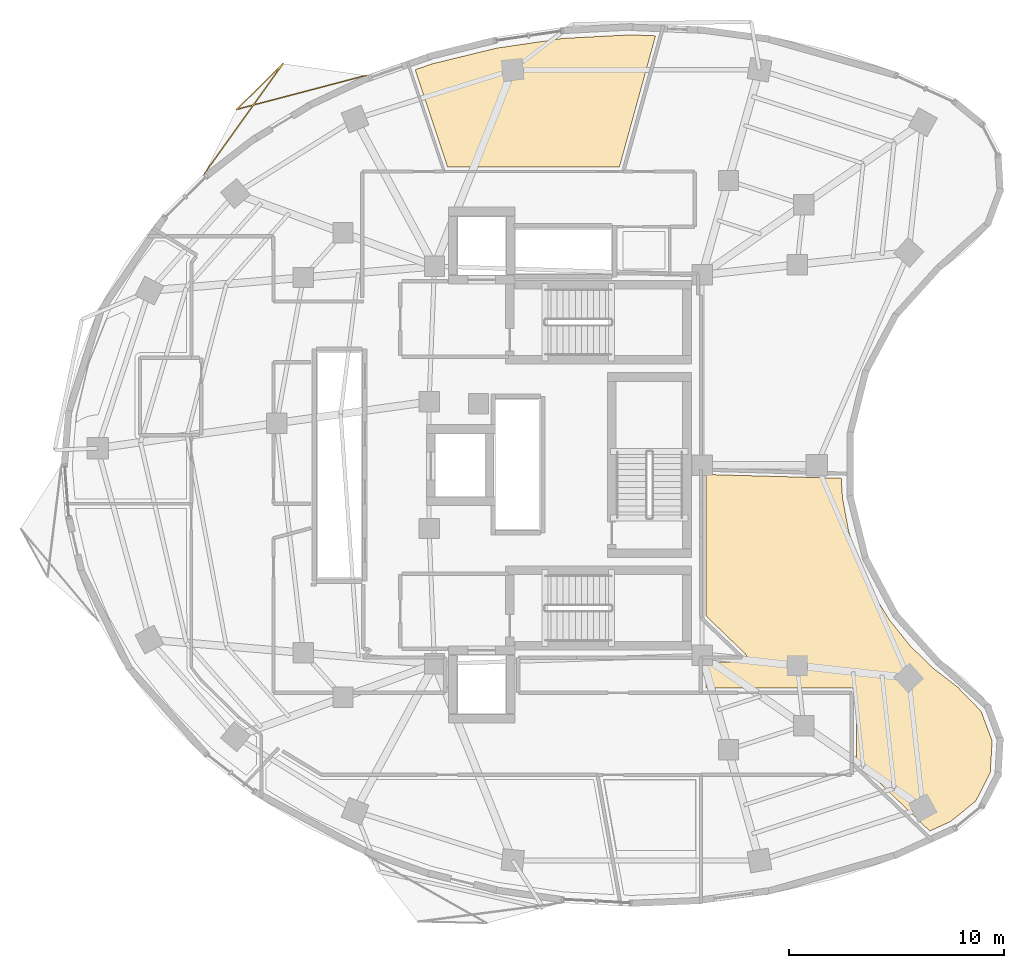
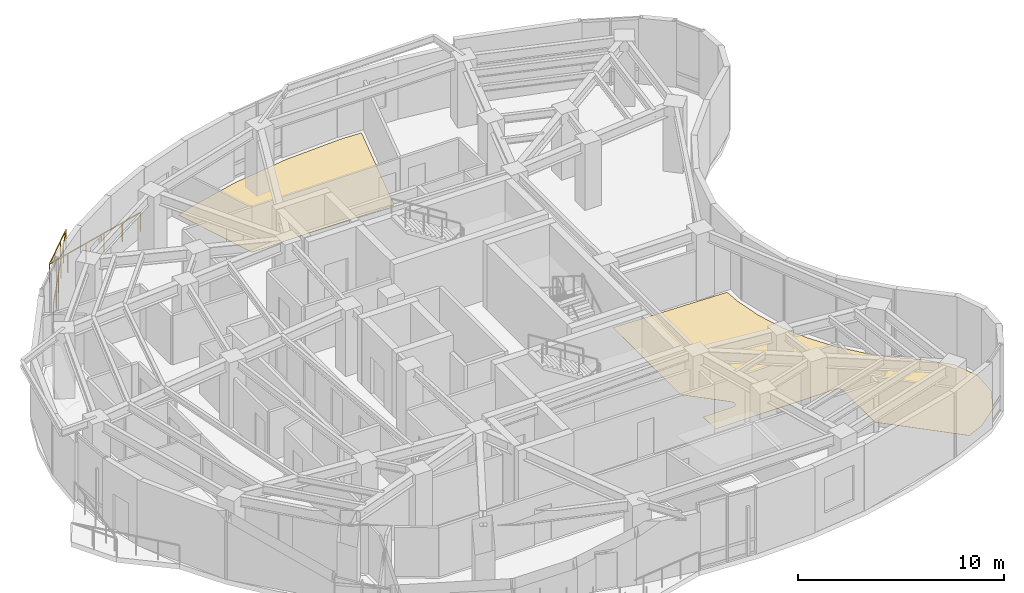
# One storey, part 13 of 13: 2 coverings, 1 railing.
"""IFC4 building model written with IfcOpenShell, lengths in metres."""

from ifc_helpers import new_model, si_unit, direction, frame, origin, origin_2d, place, context, subcontext, project, spatial, polyline, rectangle, outline, extrude, material, layer, layer_set, type_object, element, save


model = new_model("IFC4")

# Units and contexts
model_context = context("Model", 3, precision=1e-05, world=origin(), true_north=direction((0.0, 1.0)))
body_context = subcontext(model_context, "Body", "Model", "MODEL_VIEW")
ifc_project = project(units=[si_unit("LENGTHUNIT", "METRE"), si_unit("AREAUNIT", "SQUARE_METRE"), si_unit("VOLUMEUNIT", "CUBIC_METRE"), si_unit("PLANEANGLEUNIT", "RADIAN"), si_unit("MASSUNIT", "GRAM", prefix="KILO")], contexts=[model_context])

# Site, building, storey
site_placement = place(None, origin())
site = spatial("IfcSite", under=ifc_project, at=site_placement, CompositionType="ELEMENT")
building_placement = place(site_placement, origin())
building = spatial("IfcBuilding", under=site, at=building_placement, Name="Korentha Bioscience Tower", CompositionType="ELEMENT")
storey_placement = place(building_placement, frame((0.0, 0.0, 158.39990234375)))
storey = spatial("IfcBuildingStorey", under=building, at=storey_placement, Name="L36", CompositionType="ELEMENT", Elevation=158.39990234375)

# Railing
ifc_material_1 = material(Name="Laminated Tempered Safety Glass", Category="glass")
railing_type = type_object("IfcRailingType", Name="Laminated Glass Balcony Guardrail 1150", PredefinedType="BALUSTRADE", material=ifc_material_1)
railing_placement = place(storey_placement, frame((21.907470703125, 45.128662109375, 0.0)))
element("IfcRailing", 1, at=railing_placement, inside=storey, type_object=railing_type, Name="L36 Balcony Guardrail 01", PredefinedType="BALUSTRADE", context=body_context, shape_type="SweptSolid", body=[
    extrude(rectangle(XDim=0.048095703125, YDim=0.048095703125, at=origin_2d()), frame((0.0, 0.0, 1.1259765625), z_axis=(-0.967203698671, -0.254001978882, 0.0), x_axis=(0.254001978882, -0.967203698671, 0.0)), (0.0, 0.0, 1.0), 6.213134765625),
    extrude(rectangle(XDim=0.048095703125, YDim=0.048095703125, at=origin_2d()), frame((-6.00927734375, -1.578125, 1.1259765625), z_axis=(0.711366586149, 0.702821157984, 0.0), x_axis=(-0.702821157984, 0.711366586149, 0.0)), (0.0, 0.0, 1.0), 3.0283203125),
    extrude(rectangle(XDim=0.048095703125, YDim=0.048095703125, at=origin_2d()), frame((-3.85498046875, 0.55029296875, 1.1259765625), z_axis=(-0.581843464557, -0.813300794757, 0.0), x_axis=(0.813300794757, -0.581843464557, 0.0)), (0.0, 0.0, 1.0), 6.2939453125),
    extrude(rectangle(XDim=0.0419921875, YDim=0.0419921875, at=origin_2d()), origin(), (0.0, 0.0, 1.0), 1.101806640625),
    extrude(rectangle(XDim=0.0419921875, YDim=0.0419921875, at=origin_2d()), frame((-1.201904296875, -0.315673828125, 0.0)), (0.0, 0.0, 1.0), 1.101806640625),
    extrude(rectangle(XDim=0.0419921875, YDim=0.0419921875, at=origin_2d()), frame((-2.40380859375, -0.63134765625, 0.0)), (0.0, 0.0, 1.0), 1.101806640625),
    extrude(rectangle(XDim=0.0419921875, YDim=0.0419921875, at=origin_2d()), frame((-3.60546875, -0.94677734375, 0.0)), (0.0, 0.0, 1.0), 1.101806640625),
    extrude(rectangle(XDim=0.0419921875, YDim=0.0419921875, at=origin_2d()), frame((-4.807373046875, -1.262451171875, 0.0)), (0.0, 0.0, 1.0), 1.101806640625),
    extrude(rectangle(XDim=0.0419921875, YDim=0.0419921875, at=origin_2d()), frame((-6.00927734375, -1.578125, 0.0)), (0.0, 0.0, 1.0), 1.101806640625),
    extrude(rectangle(XDim=0.0419921875, YDim=0.0419921875, at=origin_2d()), frame((-5.291259765625, -0.86865234375, 0.0)), (0.0, 0.0, 1.0), 1.101806640625),
    extrude(rectangle(XDim=0.0419921875, YDim=0.0419921875, at=origin_2d()), frame((-4.572998046875, -0.1591796875, 0.0)), (0.0, 0.0, 1.0), 1.101806640625),
    extrude(rectangle(XDim=0.0419921875, YDim=0.0419921875, at=origin_2d()), frame((-3.85498046875, 0.55029296875, 0.0)), (0.0, 0.0, 1.0), 1.101806640625),
    extrude(rectangle(XDim=0.0419921875, YDim=0.0419921875, at=origin_2d()), frame((-4.58740234375, -0.473388671875, 0.0)), (0.0, 0.0, 1.0), 1.101806640625),
    extrude(rectangle(XDim=0.0419921875, YDim=0.0419921875, at=origin_2d()), frame((-5.31982421875, -1.497314453125, 0.0)), (0.0, 0.0, 1.0), 1.101806640625),
    extrude(rectangle(XDim=0.0419921875, YDim=0.0419921875, at=origin_2d()), frame((-6.05224609375, -2.52099609375, 0.0)), (0.0, 0.0, 1.0), 1.101806640625),
    extrude(rectangle(XDim=0.0419921875, YDim=0.0419921875, at=origin_2d()), frame((-6.78466796875, -3.544921875, 0.0)), (0.0, 0.0, 1.0), 1.101806640625),
    extrude(rectangle(XDim=0.0419921875, YDim=0.0419921875, at=origin_2d()), frame((-7.51708984375, -4.568603515625, 0.0)), (0.0, 0.0, 1.0), 1.101806640625),
])

# Coverings
ifc_material_2 = material(Name="Chemical-Resistant Epoxy Resin", Category="polymer")
ifc_layer = layer(ifc_material_2, 0.011962890625, Name="Chemical-Resistant Epoxy Resin")
ifc_layer_set = layer_set([ifc_layer], Name="Chemical-Resistant Epoxy Resin (FL-EPX)")
covering_type = type_object("IfcCoveringType", Name="Seamless Epoxy Laboratory Flooring 12", PredefinedType="FLOORING", material=ifc_layer_set)
covering_1_placement = place(storey_placement, origin())
element("IfcCovering", 2, at=covering_1_placement, inside=storey, type_object=covering_type, Name="L36 Incubator and Bioreactor Suite 07 Floor Finish", PredefinedType="FLOORING", context=body_context, shape_type="SweptSolid", body=[
    extrude(outline(polyline([(44.025146484375, 26.389404296875), (44.085205078125, 25.45361328125), (44.36669921875, 23.94970703125), (44.8271484375, 22.497802734375), (45.46630859375, 21.1015625), (46.26318359375, 19.8056640625), (47.21630859375, 18.61083984375), (48.28173828125, 17.564208984375), (49.4521484375, 16.662841796875), (50.52978515625, 15.55224609375), (51.04541015625, 14.16748046875), (50.96044921875, 12.6923828125), (50.289306640625, 11.376220703125), (49.114013671875, 10.415283203125), (48.141845703125, 9.97412109375), (44.73681640625, 13.250732421875), (44.729736328125, 16.410888671875), (44.697509765625, 16.517822265625), (44.61865234375, 16.596923828125), (44.5, 16.6298828125), (37.72802734375, 16.6298828125), (37.72802734375, 17.827880859375), (39.44873046875, 17.830322265625), (39.512451171875, 17.849853515625), (39.582763671875, 17.902587890625), (39.62744140625, 17.978515625), (39.6396484375, 18.0439453125), (39.62548828125, 18.130859375), (39.578857421875, 18.205810546875), (37.72216796875, 19.992919921875), (37.72216796875, 26.565673828125), (44.025146484375, 26.389404296875)])), origin(), (0.0, 0.0, 1.0), 0.01220703125),
])
covering_2_placement = place(storey_placement, origin())
element("IfcCovering", 3, at=covering_2_placement, inside=storey, type_object=covering_type, Name="L36 Biostatistics Research Office 09 Floor Finish", PredefinedType="FLOORING", context=body_context, shape_type="SweptSolid", body=[
    extrude(outline(polyline([(31.088623046875, 46.85595703125), (34.243896484375, 47.02099609375), (35.385986328125, 46.974853515625), (33.707763671875, 40.882568359375), (25.710205078125, 40.880126953125), (24.2001953125, 45.393310546875), (24.972412109375, 45.66455078125), (27.983154296875, 46.401611328125), (31.088623046875, 46.85595703125)])), origin(), (0.0, 0.0, 1.0), 0.01220703125),
])

save(model, "model.ifc")
